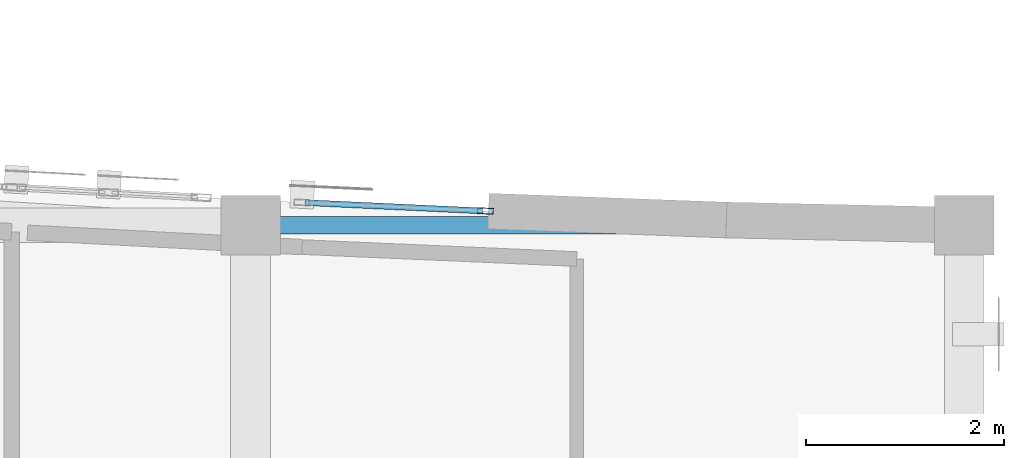
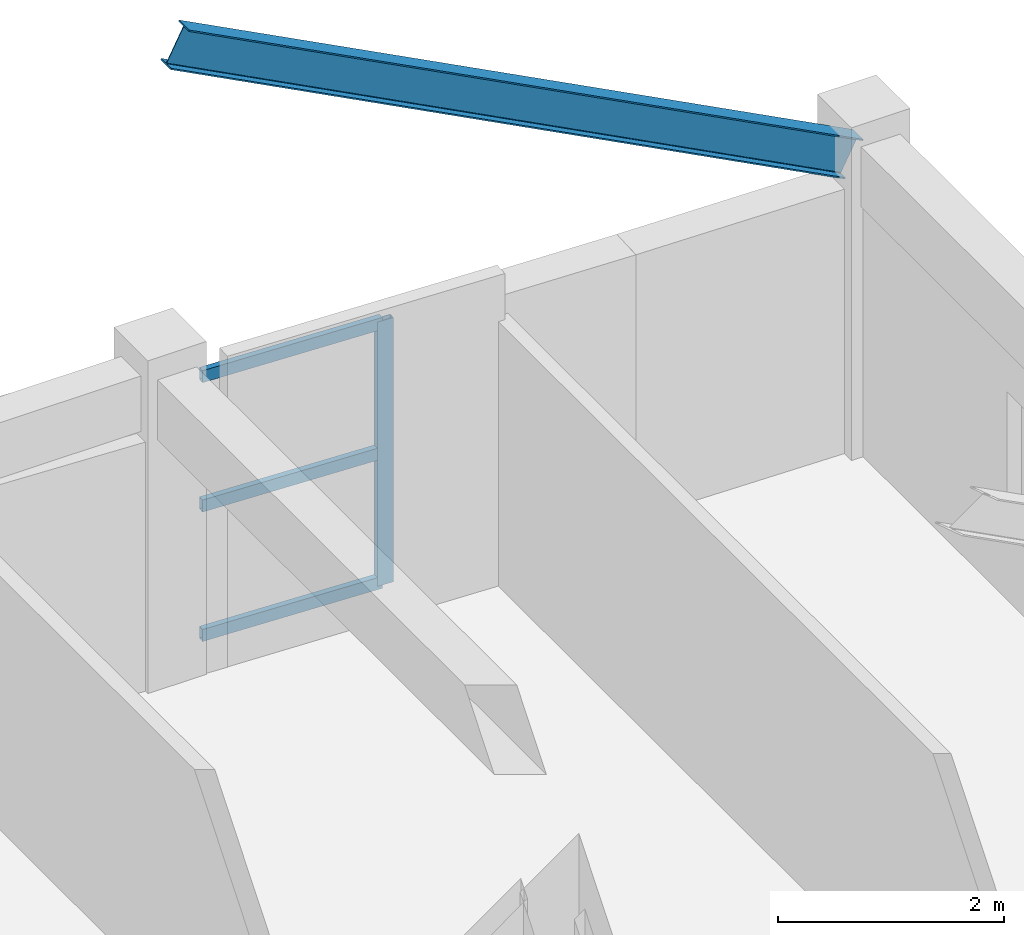
# One storey, part 29 of 51: 4 members, 1 beam, 1 element without a shape of its own.
"""IFC4 building model written with IfcOpenShell, lengths in metres."""

from ifc_helpers import new_model, si_unit, direction, frame, origin, origin_2d, place, context, subcontext, project, spatial, hollow_rectangle, i_section, extrude, material, layer, layer_set, material_profile, profile_set, type_object, element, aggregate, save


model = new_model("IFC4")

# Units and contexts
model_context = context("Model", 3, precision=1e-05, world=origin(), true_north=direction((0.0, 1.0)))
body_context = subcontext(model_context, "Body", "Model", "MODEL_VIEW")
ifc_project = project(units=[si_unit("LENGTHUNIT", "METRE"), si_unit("AREAUNIT", "SQUARE_METRE"), si_unit("VOLUMEUNIT", "CUBIC_METRE"), si_unit("PLANEANGLEUNIT", "RADIAN"), si_unit("MASSUNIT", "GRAM", prefix="KILO")], contexts=[model_context])

# Site, building, storey
site_placement = place(None, origin())
site = spatial("IfcSite", under=ifc_project, at=site_placement, CompositionType="ELEMENT")
building_placement = place(site_placement, origin())
building = spatial("IfcBuilding", under=site, at=building_placement, Name="Carrowvane Square Congress Hotel", CompositionType="ELEMENT")
storey_placement = place(building_placement, frame((0.0, 0.0, 30.0)))
storey = spatial("IfcBuildingStorey", under=building, at=storey_placement, Name="L07", CompositionType="ELEMENT", Elevation=30.0)

# Beam
ifc_material_1 = material(Name="Steel S355", Category="steel")
ifc_material_profile_1 = material_profile(ifc_material_1, i_section(OverallWidth=0.1787109375, OverallDepth=0.409423828125, WebThickness=0.0087890625, FlangeThickness=0.014404296875, FilletRadius=0.01025390625, at=origin_2d()), Name="UKB 406x178x67")
ifc_profile_set_1 = profile_set([ifc_material_profile_1], Name="Steel S355")
beam_type = type_object("IfcBeamType", Name="BM-ST-UKB406", PredefinedType="BEAM", material=ifc_profile_set_1)
beam_placement = place(storey_placement, frame((155.75, 113.39990234375, 6.679931640625), z_axis=(0.886589880291, 0.0, -0.462556357826), x_axis=(0.0, 1.0, 0.0)))
element("IfcBeam", 1, at=beam_placement, inside=storey, type_object=beam_type, Name="L07 shallow-arc roof rafter 36", PredefinedType="BEAM", context=body_context, shape_type="SweptSolid", body=[
    extrude(i_section(OverallWidth=0.1787109375, OverallDepth=0.409423828125, WebThickness=0.0087890625, FlangeThickness=0.014404296875, FilletRadius=0.01025390625, at=origin_2d()), origin(), (0.0, 0.0, 1.0), 7.782470703125),
])

# Curtain wall, members
ifc_material_2 = material(Name="Anodised aluminium", Category="aluminium")
ifc_layer = layer(ifc_material_2, 0.162109375)
ifc_layer_set = layer_set([ifc_layer], Name="Anodised aluminium")
curtain_wall_type = type_object("IfcCurtainWallType", Name="CW-SYS-1", PredefinedType="NOTDEFINED", material=ifc_layer_set)
curtain_wall_placement = place(storey_placement, origin())
curtain_wall = element("IfcCurtainWall", 2, at=curtain_wall_placement, inside=storey, type_object=curtain_wall_type, Name="L07 unitised curtain wall 456", PredefinedType="NOTDEFINED")
ifc_material_3 = material(Name="Anodised aluminium", Category="aluminium")
ifc_material_profile_2 = material_profile(ifc_material_3, hollow_rectangle(XDim=0.06005859375, YDim=0.159912109375, WallThickness=0.00390625, at=origin_2d()), Name="CW-ML 60x160x4")
ifc_profile_set_2 = profile_set([ifc_material_profile_2], Name="Anodised aluminium")
member_type_1 = type_object("IfcMemberType", Name="CW-MUL-1", PredefinedType="MULLION", material=ifc_profile_set_2)
member_1_placement = place(storey_placement, frame((157.969970703125, 113.54248046875, 0.0), z_axis=(0.0, 0.0, 1.0), x_axis=(0.046522035775, 0.998917263935, 0.0)))
member_1 = element("IfcMember", 3, at=member_1_placement, type_object=member_type_1, Name="CW-1 mullion 2", PredefinedType="MULLION", context=body_context, shape_type="SweptSolid", body=[
    extrude(hollow_rectangle(XDim=0.06005859375, YDim=0.159912109375, WallThickness=0.00390625, at=origin_2d()), origin(), (0.0, 0.0, 1.0), 2.8603515625),
])
ifc_material_4 = material(Name="Anodised aluminium", Category="aluminium")
ifc_material_profile_3 = material_profile(ifc_material_4, hollow_rectangle(XDim=0.06005859375, YDim=0.1298828125, WallThickness=0.00390625, at=origin_2d()), Name="CW-TR 60x130x4")
ifc_profile_set_3 = profile_set([ifc_material_profile_3], Name="Anodised aluminium")
member_type_2 = type_object("IfcMemberType", Name="CW-TRN-1", PredefinedType="USERDEFINED", material=ifc_profile_set_3)
member_2_placement = place(storey_placement, frame((156.1484375, 113.627197265625, 0.030029296875), z_axis=(0.998915968728, -0.04654983803, 0.0), x_axis=(0.04654983803, 0.998915968728, 0.0)))
member_2 = element("IfcMember", 4, at=member_2_placement, type_object=member_type_2, Name="CW-1 transom 1.1", ObjectType="TRANSOM", PredefinedType="USERDEFINED", context=body_context, shape_type="SweptSolid", body=[
    extrude(hollow_rectangle(XDim=0.06005859375, YDim=0.1298828125, WallThickness=0.00390625, at=origin_2d()), origin(), (0.0, 0.0, 1.0), 1.793701171875),
])
member_3_placement = place(storey_placement, frame((156.1484375, 113.627197265625, 1.43017578125), z_axis=(0.998915968728, -0.04654983803, 0.0), x_axis=(0.04654983803, 0.998915968728, 0.0)))
member_3 = element("IfcMember", 5, at=member_3_placement, type_object=member_type_2, Name="CW-1 transom 1.2", ObjectType="TRANSOM", PredefinedType="USERDEFINED", context=body_context, shape_type="SweptSolid", body=[
    extrude(hollow_rectangle(XDim=0.06005859375, YDim=0.1298828125, WallThickness=0.00390625, at=origin_2d()), origin(), (0.0, 0.0, 1.0), 1.793701171875),
])
member_4_placement = place(storey_placement, frame((156.1484375, 113.627197265625, 2.830322265625), z_axis=(0.998915968728, -0.04654983803, 0.0), x_axis=(0.04654983803, 0.998915968728, 0.0)))
member_4 = element("IfcMember", 6, at=member_4_placement, type_object=member_type_2, Name="CW-1 transom 1.3", ObjectType="TRANSOM", PredefinedType="USERDEFINED", context=body_context, shape_type="SweptSolid", body=[
    extrude(hollow_rectangle(XDim=0.06005859375, YDim=0.1298828125, WallThickness=0.00390625, at=origin_2d()), origin(), (0.0, 0.0, 1.0), 1.793701171875),
])
aggregate(curtain_wall, [member_1, member_2, member_3, member_4])

save(model, "model.ifc")
